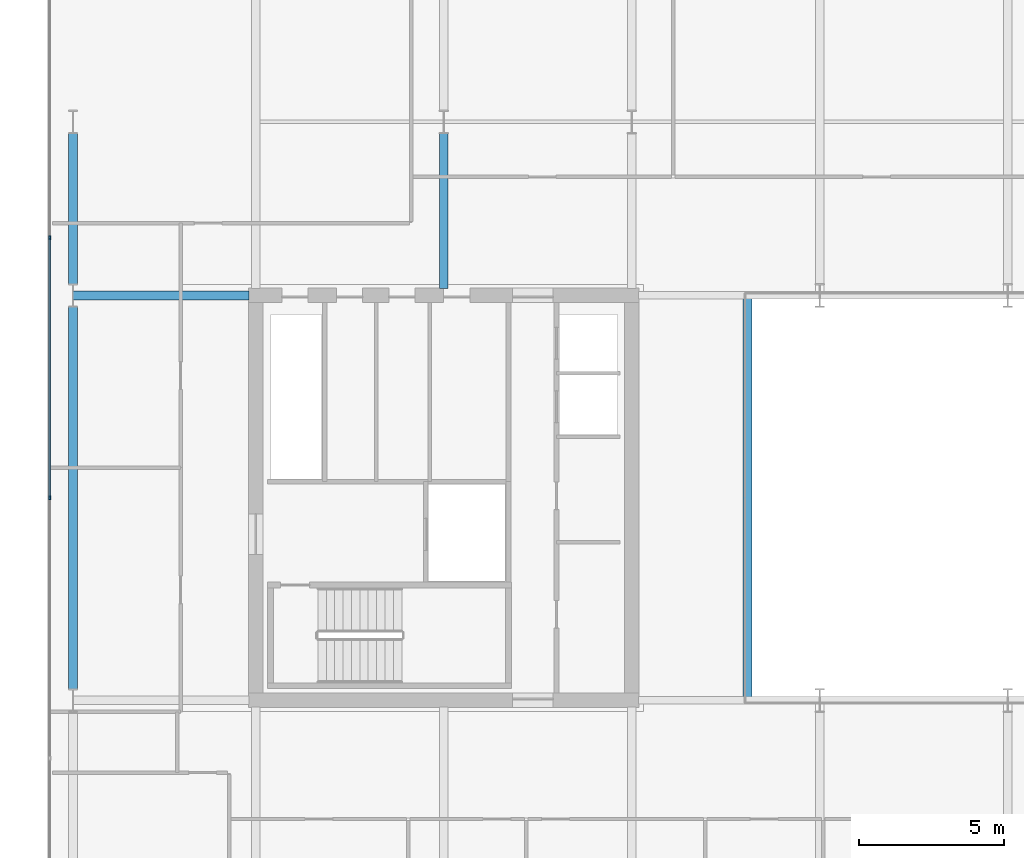
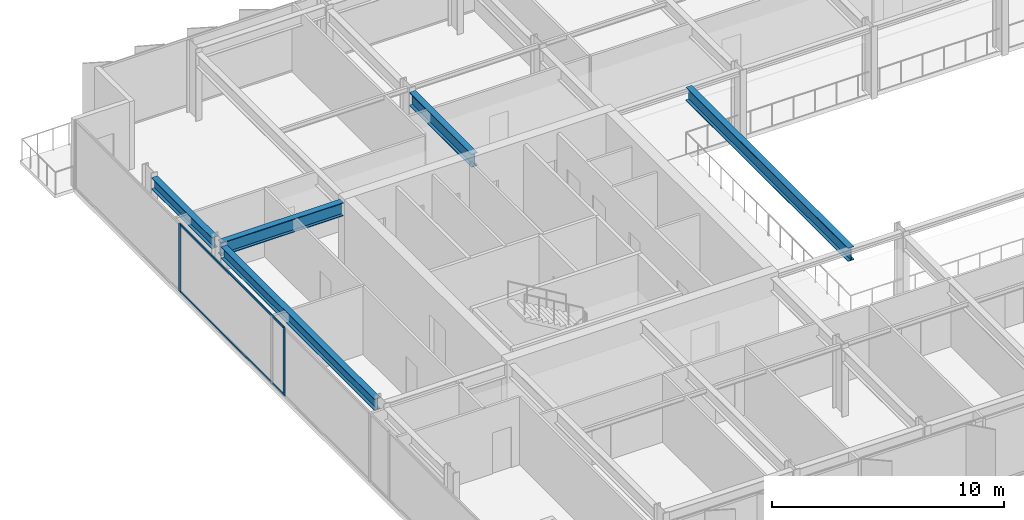
# One storey, part 5 of 23: 5 beams, 4 members, 1 element without a shape of its own.
"""IFC4 building model written with IfcOpenShell, lengths in metres."""

from ifc_helpers import new_model, si_unit, direction, frame, origin, origin_2d, place, context, subcontext, project, spatial, rectangle, i_section, extrude, material, layer, layer_set, material_profile, profile_set, type_object, element, aggregate, save


model = new_model("IFC4")

# Units and contexts
model_context = context("Model", 3, precision=1e-05, world=origin(), true_north=direction((0.0, 1.0)))
body_context = subcontext(model_context, "Body", "Model", "MODEL_VIEW")
ifc_project = project(units=[si_unit("LENGTHUNIT", "METRE"), si_unit("AREAUNIT", "SQUARE_METRE"), si_unit("VOLUMEUNIT", "CUBIC_METRE"), si_unit("PLANEANGLEUNIT", "RADIAN"), si_unit("MASSUNIT", "GRAM", prefix="KILO")], contexts=[model_context])

# Site, building, storey
site_placement = place(None, origin())
site = spatial("IfcSite", under=ifc_project, at=site_placement, CompositionType="ELEMENT")
building_placement = place(site_placement, origin())
building = spatial("IfcBuilding", under=site, at=building_placement, Name="Putna Gate Headquarters", CompositionType="ELEMENT")
storey_placement = place(building_placement, frame((0.0, 0.0, 213.800048828125)))
storey = spatial("IfcBuildingStorey", under=building, at=storey_placement, Name="L53", CompositionType="ELEMENT", Elevation=213.800048828125)

# Beams
ifc_material_1 = material(Name="Steel S355J2", Category="steel")
ifc_material_profile_1 = material_profile(ifc_material_1, i_section(OverallWidth=0.300048828125, OverallDepth=0.699951171875, WebThickness=0.01708984375, FlangeThickness=0.031982421875, at=origin_2d()), Name="Steel S355J2")
ifc_profile_set_1 = profile_set([ifc_material_profile_1], Name="Steel S355J2")
beam_type_1 = type_object("IfcBeamType", Name="BM-GIRD-B-HEB700", PredefinedType="USERDEFINED", material=ifc_profile_set_1)
beam_1_placement = place(storey_placement, frame((6.68603515625, 33.0, 3.22998046875), z_axis=(1.0, 0.0, 0.0), x_axis=(0.0, 1.0, 0.0)))
element("IfcBeam", 1, at=beam_1_placement, inside=storey, type_object=beam_type_1, Name="L53 West Wing Girder Y33", ObjectType="GIRDER", PredefinedType="USERDEFINED", context=body_context, shape_type="SweptSolid", body=[
    extrude(i_section(OverallWidth=0.300048828125, OverallDepth=0.699951171875, WebThickness=0.01708984375, FlangeThickness=0.031982421875, at=origin_2d()), origin(), (0.0, 0.0, 1.0), 6.078857421875),
])
beam_2_placement = place(storey_placement, frame((19.5, 33.235107421875, 3.22998046875), z_axis=(0.0, 1.0, 0.0), x_axis=(-1.0, 0.0, 0.0)))
element("IfcBeam", 2, at=beam_2_placement, inside=storey, type_object=beam_type_1, Name="L53 North Primary Girder X19-1", ObjectType="GIRDER", PredefinedType="USERDEFINED", context=body_context, shape_type="SweptSolid", body=[
    extrude(i_section(OverallWidth=0.300048828125, OverallDepth=0.699951171875, WebThickness=0.01708984375, FlangeThickness=0.031982421875, at=origin_2d()), origin(), (0.0, 0.0, 1.0), 5.369873046875),
])
beam_3_placement = place(storey_placement, frame((30.0, 19.010009765625, 3.22998046875), z_axis=(0.0, 1.0, 0.0), x_axis=(-1.0, 0.0, 0.0)))
element("IfcBeam", 3, at=beam_3_placement, inside=storey, type_object=beam_type_1, Name="L53 Atrium Trim Girder AW", ObjectType="GIRDER", PredefinedType="USERDEFINED", context=body_context, shape_type="SweptSolid", body=[
    extrude(i_section(OverallWidth=0.300048828125, OverallDepth=0.699951171875, WebThickness=0.01708984375, FlangeThickness=0.031982421875, at=origin_2d()), origin(), (0.0, 0.0, 1.0), 13.97998046875),
])
ifc_material_profile_2 = material_profile(ifc_material_1, i_section(OverallWidth=0.300048828125, OverallDepth=0.590087890625, WebThickness=0.012939453125, FlangeThickness=0.02490234375, at=origin_2d()), Name="Steel S355J2")
ifc_profile_set_2 = profile_set([ifc_material_profile_2], Name="Steel S355J2")
beam_type_2 = type_object("IfcBeamType", Name="BM-SPAN-Z4-HEA600", PredefinedType="SPANDREL", material=ifc_profile_set_2)
beam_4_placement = place(storey_placement, frame((6.679931640625, 19.39501953125, 3.284912109375), z_axis=(0.0, 1.0, 0.0), x_axis=(-1.0, 0.0, 0.0)))
element("IfcBeam", 4, at=beam_4_placement, inside=storey, type_object=beam_type_2, Name="L53 W End Spandrel 2", PredefinedType="SPANDREL", context=body_context, shape_type="SweptSolid", body=[
    extrude(i_section(OverallWidth=0.300048828125, OverallDepth=0.590087890625, WebThickness=0.012939453125, FlangeThickness=0.02490234375, at=origin_2d()), origin(), (0.0, 0.0, 1.0), 13.2099609375),
])
beam_5_placement = place(storey_placement, frame((6.679931640625, 33.39501953125, 3.284912109375), z_axis=(0.0, 1.0, 0.0), x_axis=(-1.0, 0.0, 0.0)))
element("IfcBeam", 5, at=beam_5_placement, inside=storey, type_object=beam_type_2, Name="L53 W End Spandrel 3", PredefinedType="SPANDREL", context=body_context, shape_type="SweptSolid", body=[
    extrude(i_section(OverallWidth=0.300048828125, OverallDepth=0.590087890625, WebThickness=0.012939453125, FlangeThickness=0.02490234375, at=origin_2d()), origin(), (0.0, 0.0, 1.0), 5.2099609375),
])

# Curtain wall, members
ifc_material_2 = material(Name="Anodised bronze aluminium curtain wall", Category="aluminium")
ifc_layer = layer(ifc_material_2, 0.139892578125)
ifc_layer_set = layer_set([ifc_layer], Name="Anodised bronze aluminium curtain wall")
curtain_wall_type = type_object("IfcCurtainWallType", Name="CW-SYS-Z4", PredefinedType="USERDEFINED", material=ifc_layer_set)
curtain_wall_placement = place(storey_placement, origin())
curtain_wall = element("IfcCurtainWall", 6, at=curtain_wall_placement, inside=storey, type_object=curtain_wall_type, Name="L53 West Curtain Wall", ObjectType="STICK CURTAIN WALL", PredefinedType="USERDEFINED")
ifc_material_3 = material(Name="Anodised bronze aluminium EN AW-6060", Category="aluminium")
ifc_material_profile_3 = material_profile(ifc_material_3, rectangle(XDim=0.06005859375, YDim=0.139892578125, at=origin_2d()), Name="Anodised bronze aluminium EN AW-6060")
ifc_profile_set_3 = profile_set([ifc_material_profile_3], Name="Anodised bronze aluminium EN AW-6060")
member_type_1 = type_object("IfcMemberType", Name="MULL-CWM-4", PredefinedType="MULLION", material=ifc_profile_set_3)
member_1_placement = place(storey_placement, frame((5.8798828125, 26.0, 0.0), z_axis=(0.0, 0.0, 1.0), x_axis=(-1.0, 0.0, 0.0)))
member_1 = element("IfcMember", 7, at=member_1_placement, type_object=member_type_1, Name="CWS-4 mullion 3", PredefinedType="MULLION", context=body_context, shape_type="SweptSolid", body=[
    extrude(rectangle(XDim=0.06005859375, YDim=0.139892578125, at=origin_2d()), origin(), (0.0, 0.0, 1.0), 3.579833984375),
])
member_2_placement = place(storey_placement, frame((5.8798828125, 35.0, 0.0), z_axis=(0.0, 0.0, 1.0), x_axis=(-1.0, 0.0, 0.0)))
member_2 = element("IfcMember", 8, at=member_2_placement, type_object=member_type_1, Name="CWS-4 mullion 4", PredefinedType="MULLION", context=body_context, shape_type="SweptSolid", body=[
    extrude(rectangle(XDim=0.06005859375, YDim=0.139892578125, at=origin_2d()), origin(), (0.0, 0.0, 1.0), 3.579833984375),
])
ifc_material_profile_4 = material_profile(ifc_material_3, rectangle(XDim=0.06005859375, YDim=0.10009765625, at=origin_2d()), Name="Anodised bronze aluminium EN AW-6060")
ifc_profile_set_4 = profile_set([ifc_material_profile_4], Name="Anodised bronze aluminium EN AW-6060")
member_type_2 = type_object("IfcMemberType", Name="TRAN-CWT-4", PredefinedType="USERDEFINED", material=ifc_profile_set_4)
member_3_placement = place(storey_placement, frame((5.8798828125, 26.030029296875, 0.030029296875), z_axis=(0.0, 1.0, 0.0), x_axis=(-1.0, 0.0, 0.0)))
member_3 = element("IfcMember", 9, at=member_3_placement, type_object=member_type_2, Name="CWS-4 transom 3.1", ObjectType="TRANSOM", PredefinedType="USERDEFINED", context=body_context, shape_type="SweptSolid", body=[
    extrude(rectangle(XDim=0.06005859375, YDim=0.10009765625, at=origin_2d()), origin(), (0.0, 0.0, 1.0), 8.93994140625),
])
member_4_placement = place(storey_placement, frame((5.8798828125, 26.030029296875, 3.550048828125), z_axis=(0.0, 1.0, 0.0), x_axis=(-1.0, 0.0, 0.0)))
member_4 = element("IfcMember", 10, at=member_4_placement, type_object=member_type_2, Name="CWS-4 transom 3.2", ObjectType="TRANSOM", PredefinedType="USERDEFINED", context=body_context, shape_type="SweptSolid", body=[
    extrude(rectangle(XDim=0.06005859375, YDim=0.10009765625, at=origin_2d()), origin(), (0.0, 0.0, 1.0), 8.93994140625),
])
aggregate(curtain_wall, [member_1, member_2, member_3, member_4])

save(model, "model.ifc")
